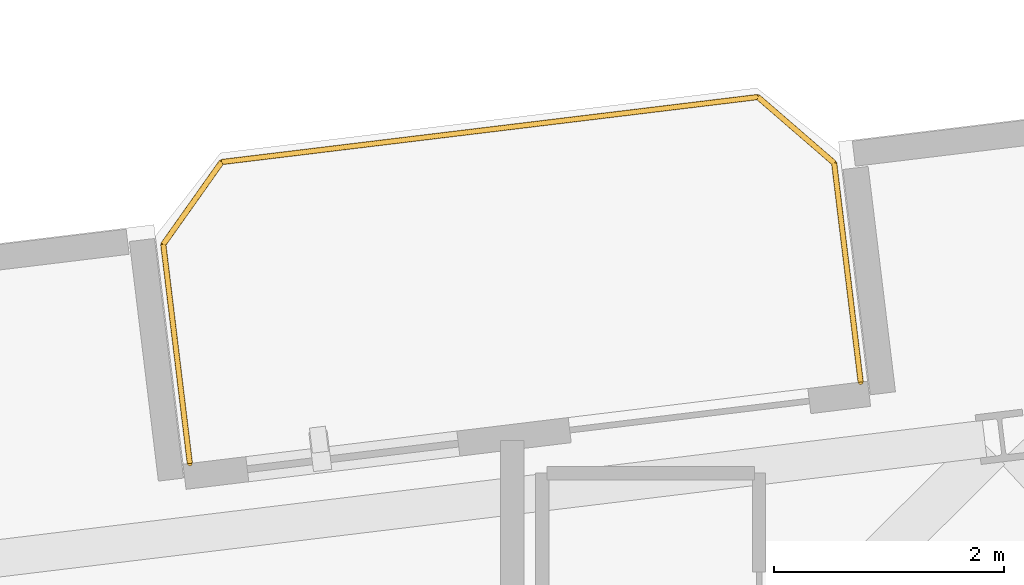
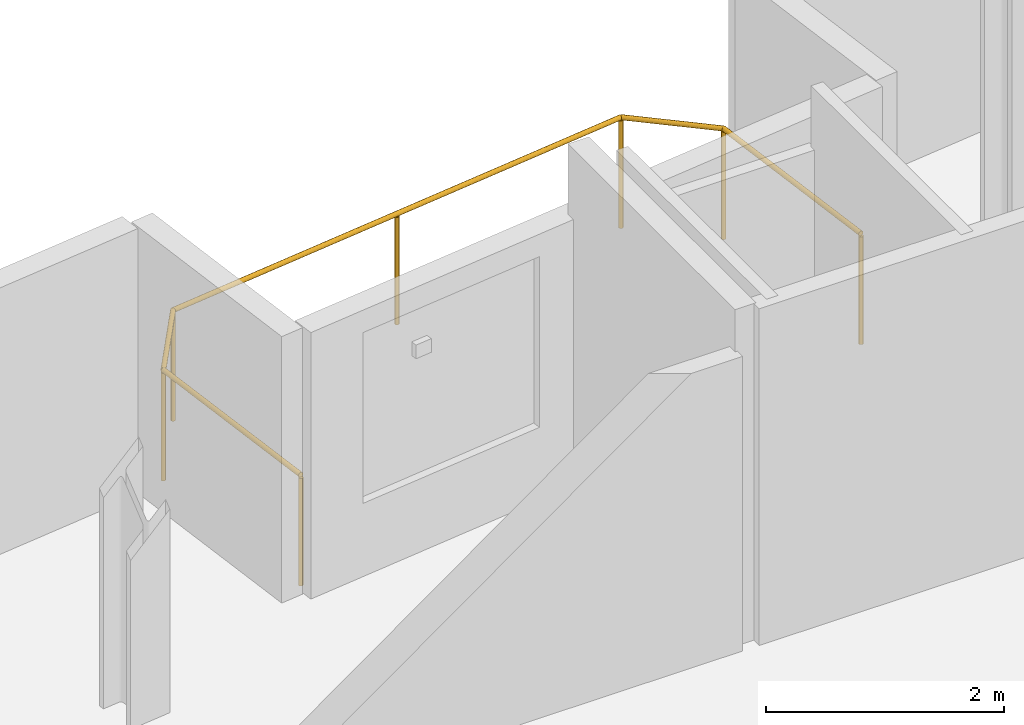
# One storey, part 23 of 23: 1 railing.
"""IFC4 building model written with IfcOpenShell, lengths in metres."""

from ifc_helpers import new_model, si_unit, direction, frame, origin, origin_2d, place, context, subcontext, project, spatial, circle, extrude, material, type_object, element, save


model = new_model("IFC4")

# Units and contexts
model_context = context("Model", 3, precision=1e-05, world=origin(), true_north=direction((0.0, 1.0)))
body_context = subcontext(model_context, "Body", "Model", "MODEL_VIEW")
ifc_project = project(units=[si_unit("LENGTHUNIT", "METRE"), si_unit("AREAUNIT", "SQUARE_METRE"), si_unit("VOLUMEUNIT", "CUBIC_METRE"), si_unit("PLANEANGLEUNIT", "RADIAN"), si_unit("MASSUNIT", "GRAM", prefix="KILO")], contexts=[model_context])

# Site, building, storey
site_placement = place(None, origin())
site = spatial("IfcSite", under=ifc_project, at=site_placement, CompositionType="ELEMENT")
building_placement = place(site_placement, origin())
building = spatial("IfcBuilding", under=site, at=building_placement, Name="Varnelok Gate Tower", CompositionType="ELEMENT")
storey_placement = place(building_placement, frame((0.0, 0.0, 200.5)))
storey = spatial("IfcBuildingStorey", under=building, at=storey_placement, Name="L51", CompositionType="ELEMENT", Elevation=200.5)

# Railing
ifc_material = material(Name="Low-E Laminated Double Glazing IGU", Category="glass")
railing_type = type_object("IfcRailingType", Name="RL-BALC-1150", PredefinedType="BALUSTRADE", material=ifc_material)
railing_placement = place(storey_placement, frame((48.19384765625, 46.335205078125, 0.0)))
element("IfcRailing", 1, at=railing_placement, inside=storey, type_object=railing_type, Name="L51 North Terrace Balustrade 6", PredefinedType="BALUSTRADE", context=body_context, shape_type="SweptSolid", body=[
    extrude(circle(Radius=0.02392578125, at=origin_2d()), frame((0.0, 0.0, 1.1259765625), z_axis=(-0.120293392036, 0.992738384386, 0.0), x_axis=(-0.992738384386, -0.120293392036, 0.0)), (0.0, 0.0, 1.0), 1.919921875),
    extrude(circle(Radius=0.02392578125, at=origin_2d()), frame((-0.23095703125, 1.906005859375, 1.1259765625), z_axis=(0.577971037086, 0.816057277579, 0.0), x_axis=(-0.816057277579, 0.577971037086, 0.0)), (0.0, 0.0, 1.0), 0.877685546875),
    extrude(circle(Radius=0.02392578125, at=origin_2d()), frame((0.2763671875, 2.622314453125, 1.1259765625), z_axis=(0.99273133746, 0.120351533534, 0.0), x_axis=(-0.120351533534, 0.99273133746, 0.0)), (0.0, 0.0, 1.0), 4.7001953125),
    extrude(circle(Radius=0.02392578125, at=origin_2d()), frame((4.9423828125, 3.18798828125, 1.1259765625), z_axis=(0.756303655992, -0.654220742513, 0.0), x_axis=(0.654220742513, 0.756303655992, 0.0)), (0.0, 0.0, 1.0), 0.877685546875),
    extrude(circle(Radius=0.02392578125, at=origin_2d()), frame((5.606201171875, 2.61376953125, 1.1259765625), z_axis=(0.120293392036, -0.992738384386, 0.0), x_axis=(0.992738384386, 0.120293392036, 0.0)), (0.0, 0.0, 1.0), 1.919921875),
    extrude(circle(Radius=0.02099609375, at=origin_2d()), origin(), (0.0, 0.0, 1.0), 1.101806640625),
    extrude(circle(Radius=0.02099609375, at=origin_2d()), frame((-0.23095703125, 1.906005859375, 0.0)), (0.0, 0.0, 1.0), 1.101806640625),
    extrude(circle(Radius=0.02099609375, at=origin_2d()), frame((0.2763671875, 2.622314453125, 0.0)), (0.0, 0.0, 1.0), 1.101806640625),
    extrude(circle(Radius=0.02099609375, at=origin_2d()), frame((2.609375, 2.9052734375, 0.0)), (0.0, 0.0, 1.0), 1.101806640625),
    extrude(circle(Radius=0.02099609375, at=origin_2d()), frame((4.9423828125, 3.18798828125, 0.0)), (0.0, 0.0, 1.0), 1.101806640625),
    extrude(circle(Radius=0.02099609375, at=origin_2d()), frame((5.606201171875, 2.61376953125, 0.0)), (0.0, 0.0, 1.0), 1.101806640625),
    extrude(circle(Radius=0.02099609375, at=origin_2d()), frame((5.837158203125, 0.707763671875, 0.0)), (0.0, 0.0, 1.0), 1.101806640625),
])

save(model, "model.ifc")
